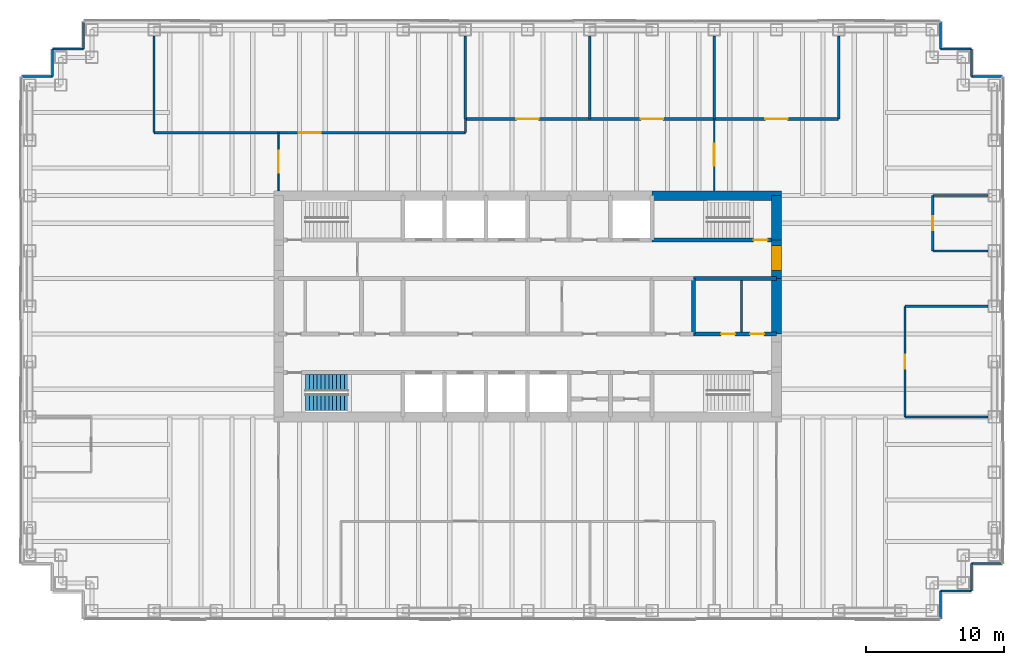
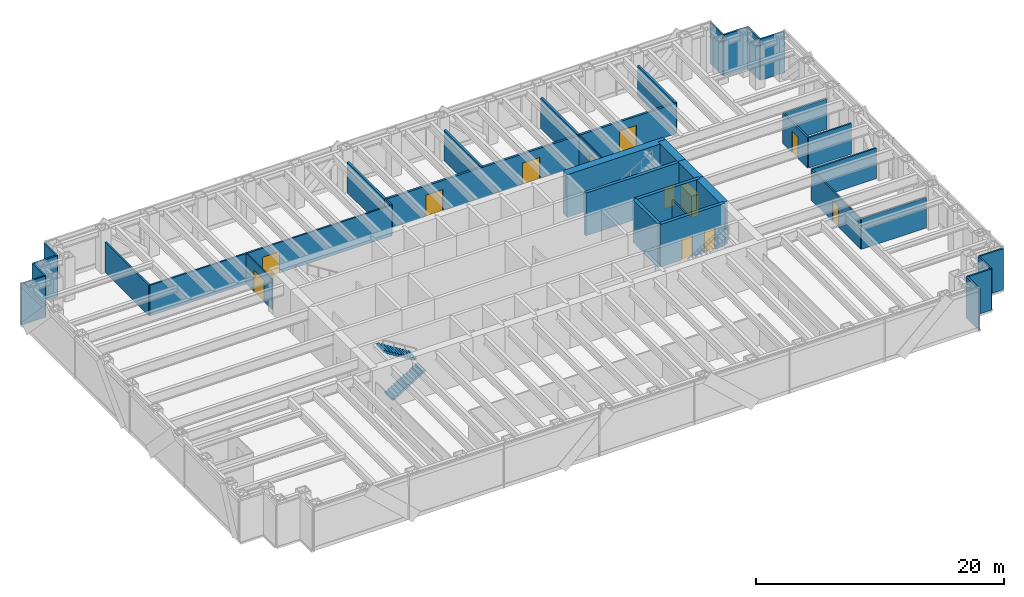
# One storey, part 13 of 15: 37 walls, 12 doors, 2 stair flights, 12 openings, 1 element without a shape of its own.
"""IFC4 building model written with IfcOpenShell, lengths in metres."""

from ifc_helpers import new_model, si_unit, direction, frame, frame_2d, origin, place, context, subcontext, project, spatial, polyline, rectangle, outline, extrude, material, layer, layer_set, type_object, element, fill, aggregate, save


model = new_model("IFC4")

# Units and contexts
model_context = context("Model", 3, precision=1e-05, world=origin(), true_north=direction((0.0, 1.0)))
body_context = subcontext(model_context, "Body", "Model", "MODEL_VIEW")
ifc_project = project(units=[si_unit("LENGTHUNIT", "METRE"), si_unit("AREAUNIT", "SQUARE_METRE"), si_unit("VOLUMEUNIT", "CUBIC_METRE"), si_unit("PLANEANGLEUNIT", "RADIAN"), si_unit("MASSUNIT", "GRAM", prefix="KILO")], contexts=[model_context])

# Site, building, storey
site_placement = place(None, origin())
site = spatial("IfcSite", under=ifc_project, at=site_placement, CompositionType="ELEMENT")
building_placement = place(site_placement, origin())
building = spatial("IfcBuilding", under=site, at=building_placement, Name="Rheinbord Bourse Tower", CompositionType="ELEMENT")
storey_placement = place(building_placement, frame((0.0, 0.0, 296.300048828125)))
storey = spatial("IfcBuildingStorey", under=building, at=storey_placement, Name="L67", CompositionType="ELEMENT", Elevation=296.300048828125)

# Wall, openings, doors
ifc_material_1 = material(Name="Acoustic gypsum board partition", Category="gypsum board")
ifc_layer_1 = layer(ifc_material_1, 0.199951171875)
ifc_layer_set_1 = layer_set([ifc_layer_1], Name="ACOUSTIC PARTITION 200")
wall_type_1 = type_object("IfcWallType", Name="ACOUSTIC PARTITION 200", PredefinedType="PARTITIONING", material=ifc_layer_set_1)
wall_1_placement = place(storey_placement, frame((31.5, 37.550048828125, 0.0), z_axis=(0.0, 0.0, 1.0), x_axis=(1.0, 0.0, 0.0)))
wall_1 = element("IfcWall", 1, at=wall_1_placement, inside=storey, type_object=wall_type_1, Name="Partition L67-10", PredefinedType="PARTITIONING", context=body_context, shape_type="SweptSolid", body=[
    extrude(rectangle(XDim=27.0, YDim=0.199951171875, at=frame_2d((13.5, 0.0))), origin(), (0.0, 0.0, 1.0), 3.0),
])
opening_1_placement = place(wall_1_placement, frame((3.699951171875, 0.0, 0.0)))
opening_1 = element("IfcOpeningElement", 2, at=opening_1_placement, cuts=wall_1, Name="Opening 67D07", PredefinedType="OPENING", context=body_context, shape_type="SweptSolid", body=[
    extrude(rectangle(XDim=1.60009765625, YDim=2.10009765625, at=frame_2d((0.800048828125, 1.050048828125))), frame((0.0, 0.10986328125, 0.0), z_axis=(0.0, -1.0, 0.0), x_axis=(1.0, 0.0, 0.0)), (0.0, 0.0, 1.0), 0.219970703125),
])
opening_2_placement = place(wall_1_placement, frame((12.699951171875, 0.0, 0.0)))
opening_2 = element("IfcOpeningElement", 3, at=opening_2_placement, cuts=wall_1, Name="Opening 67D08", PredefinedType="OPENING", context=body_context, shape_type="SweptSolid", body=[
    extrude(rectangle(XDim=1.60009765625, YDim=2.10009765625, at=frame_2d((0.800048828125, 1.050048828125))), frame((0.0, 0.10986328125, 0.0), z_axis=(0.0, -1.0, 0.0), x_axis=(1.0, 0.0, 0.0)), (0.0, 0.0, 1.0), 0.219970703125),
])
opening_3_placement = place(wall_1_placement, frame((21.699951171875, 0.0, 0.0)))
opening_3 = element("IfcOpeningElement", 4, at=opening_3_placement, cuts=wall_1, Name="Opening 67D09", PredefinedType="OPENING", context=body_context, shape_type="SweptSolid", body=[
    extrude(rectangle(XDim=1.60009765625, YDim=2.10009765625, at=frame_2d((0.800048828125, 1.050048828125))), frame((0.0, 0.10986328125, 0.0), z_axis=(0.0, -1.0, 0.0), x_axis=(1.0, 0.0, 0.0)), (0.0, 0.0, 1.0), 0.219970703125),
])
ifc_material_2 = material(Name="Timber door", Category="wood")
door_type_1 = type_object("IfcDoorType", Name="DOUBLE ROOM DOOR 1600", OperationType="DOUBLE_DOOR_DOUBLE_SWING", PredefinedType="DOOR", material=ifc_material_2)
door_1_placement = place(opening_1_placement, origin())
door_1 = element("IfcDoor", 5, at=door_1_placement, inside=storey, type_object=door_type_1, Name="Private dining room door L67", OperationType="SINGLE_SWING_LEFT", OverallHeight=2.10009765625, OverallWidth=1.60009765625, PredefinedType="DOOR", context=body_context, shape_type="SweptSolid", body=[
    extrude(rectangle(XDim=1.60009765625, YDim=2.10009765625, at=frame_2d((0.800048828125, 1.050048828125))), frame((0.0, 0.02490234375, 0.0), z_axis=(0.0, -1.0, 0.0), x_axis=(1.0, 0.0, 0.0)), (0.0, 0.0, 1.0), 0.050048828125),
])
fill(opening_1, door_1)
door_2_placement = place(opening_2_placement, origin())
door_2 = element("IfcDoor", 6, at=door_2_placement, inside=storey, type_object=door_type_1, Name="Private dining room door L67", OperationType="SINGLE_SWING_LEFT", OverallHeight=2.10009765625, OverallWidth=1.60009765625, PredefinedType="DOOR", context=body_context, shape_type="SweptSolid", body=[
    extrude(rectangle(XDim=1.60009765625, YDim=2.10009765625, at=frame_2d((0.800048828125, 1.050048828125))), frame((0.0, 0.02490234375, 0.0), z_axis=(0.0, -1.0, 0.0), x_axis=(1.0, 0.0, 0.0)), (0.0, 0.0, 1.0), 0.050048828125),
])
fill(opening_2, door_2)
door_3_placement = place(opening_3_placement, origin())
door_3 = element("IfcDoor", 7, at=door_3_placement, inside=storey, type_object=door_type_1, Name="Private dining room door L67", OperationType="SINGLE_SWING_LEFT", OverallHeight=2.10009765625, OverallWidth=1.60009765625, PredefinedType="DOOR", context=body_context, shape_type="SweptSolid", body=[
    extrude(rectangle(XDim=1.60009765625, YDim=2.10009765625, at=frame_2d((0.800048828125, 1.050048828125))), frame((0.0, 0.02490234375, 0.0), z_axis=(0.0, -1.0, 0.0), x_axis=(1.0, 0.0, 0.0)), (0.0, 0.0, 1.0), 0.050048828125),
])
fill(opening_3, door_3)

# Walls
for number, where, z_axis, x_axis, name in (
    (8, (31.5, 37.550048828125, 0.0), (0.0, 0.0, 1.0), (0.0, 1.0, 0.0), "Partition L67-17"),
    (9, (40.5, 37.550048828125, 0.0), (0.0, 0.0, 1.0), (0.0, 1.0, 0.0), "Partition L67-19"),
    (10, (49.5, 37.550048828125, 0.0), (0.0, 0.0, 1.0), (0.0, 1.0, 0.0), "Partition L67-22"),
    (11, (58.5, 37.550048828125, 0.0), (0.0, 0.0, 1.0), (0.0, 1.0, 0.0), "Partition L67-24"),
):
    element("IfcWall", number, at=place(storey_placement, frame(where, z_axis=z_axis, x_axis=x_axis)), inside=storey, type_object=wall_type_1, Name=name, PredefinedType="PARTITIONING", context=body_context, shape_type="SweptSolid", body=[
        extrude(rectangle(XDim=6.0, YDim=0.199951171875, at=frame_2d((3.0, 0.0))), origin(), (0.0, 0.0, 1.0), 3.0),
    ])

# Wall, opening, door
ifc_material_3 = material(Name="Concrete C50/60", Category="concrete")
ifc_layer_2 = layer(ifc_material_3, 0.300048828125)
ifc_layer_set_2 = layer_set([ifc_layer_2], Name="CORE INNER WALL 300")
wall_type_2 = type_object("IfcWallType", Name="CORE INNER WALL 300", PredefinedType="SOLIDWALL", material=ifc_layer_set_2)
wall_2_placement = place(storey_placement, frame((45.0, 28.800048828125, 0.0), z_axis=(0.0, 0.0, 1.0), x_axis=(1.0, 0.0, 0.0)))
wall_2 = element("IfcWall", 12, at=wall_2_placement, inside=storey, type_object=wall_type_2, Name="Core wall B8 L67", PredefinedType="SOLIDWALL", context=body_context, shape_type="SweptSolid", body=[
    extrude(rectangle(XDim=9.0, YDim=0.300048828125, at=frame_2d((4.5, 0.0))), origin(), (0.0, 0.0, 1.0), 4.199951171875),
])
opening_4_placement = place(wall_2_placement, frame((7.35009765625, 0.0, 0.0)))
opening_4 = element("IfcOpeningElement", 13, at=opening_4_placement, cuts=wall_2, Name="Opening 6740", PredefinedType="OPENING", context=body_context, shape_type="SweptSolid", body=[
    extrude(rectangle(XDim=1.0, YDim=2.10009765625, at=frame_2d((0.5, 1.050048828125))), frame((0.0, 0.159912109375, 0.0), z_axis=(0.0, -1.0, 0.0), x_axis=(1.0, 0.0, 0.0)), (0.0, 0.0, 1.0), 0.320068359375),
])
ifc_material_4 = material(Name="Steel door", Category="steel")
door_type_2 = type_object("IfcDoorType", Name="DOOR 1000 EI30", OperationType="SINGLE_SWING_LEFT", PredefinedType="DOOR", material=ifc_material_4)
door_4_placement = place(opening_4_placement, origin())
door_4 = element("IfcDoor", 14, at=door_4_placement, inside=storey, type_object=door_type_2, Name="Stair door ST4 L67", OperationType="SINGLE_SWING_RIGHT", OverallHeight=2.10009765625, OverallWidth=1.0, PredefinedType="DOOR", context=body_context, shape_type="SweptSolid", body=[
    extrude(rectangle(XDim=1.0, YDim=2.10009765625, at=frame_2d((0.5, 1.050048828125))), frame((0.0, 0.02490234375, 0.0), z_axis=(0.0, -1.0, 0.0), x_axis=(1.0, 0.0, 0.0)), (0.0, 0.0, 1.0), 0.050048828125),
])
fill(opening_4, door_4)

# Wall, openings, doors
wall_3_placement = place(storey_placement, frame((48.0, 22.0, 0.0), z_axis=(0.0, 0.0, 1.0), x_axis=(1.0, 0.0, 0.0)))
wall_3 = element("IfcWall", 15, at=wall_3_placement, inside=storey, type_object=wall_type_2, Name="Core wall C6 L67", PredefinedType="SOLIDWALL", context=body_context, shape_type="SweptSolid", body=[
    extrude(rectangle(XDim=6.0, YDim=0.300048828125, at=frame_2d((3.0, 0.0))), origin(), (0.0, 0.0, 1.0), 4.199951171875),
])
opening_5_placement = place(wall_3_placement, frame((2.0, 0.0, 0.0)))
opening_5 = element("IfcOpeningElement", 16, at=opening_5_placement, cuts=wall_3, Name="Opening 67R6", PredefinedType="OPENING", context=body_context, shape_type="SweptSolid", body=[
    extrude(rectangle(XDim=1.0, YDim=2.10009765625, at=frame_2d((0.5, 1.050048828125))), frame((0.0, 0.159912109375, 0.0), z_axis=(0.0, -1.0, 0.0), x_axis=(1.0, 0.0, 0.0)), (0.0, 0.0, 1.0), 0.320068359375),
])
opening_6_placement = place(wall_3_placement, frame((4.10009765625, 0.0, 0.0)))
opening_6 = element("IfcOpeningElement", 17, at=opening_6_placement, cuts=wall_3, Name="Opening 67R10", PredefinedType="OPENING", context=body_context, shape_type="SweptSolid", body=[
    extrude(rectangle(XDim=1.0, YDim=2.10009765625, at=frame_2d((0.5, 1.050048828125))), frame((0.0, 0.159912109375, 0.0), z_axis=(0.0, -1.0, 0.0), x_axis=(1.0, 0.0, 0.0)), (0.0, 0.0, 1.0), 0.320068359375),
])
door_5_placement = place(opening_6_placement, origin())
door_5 = element("IfcDoor", 18, at=door_5_placement, inside=storey, type_object=door_type_2, Name="Cleaner's store door L67", OperationType="SINGLE_SWING_RIGHT", OverallHeight=2.10009765625, OverallWidth=1.0, PredefinedType="DOOR", context=body_context, shape_type="SweptSolid", body=[
    extrude(rectangle(XDim=1.0, YDim=2.10009765625, at=frame_2d((0.5, 1.050048828125))), frame((0.0, 0.02490234375, 0.0), z_axis=(0.0, -1.0, 0.0), x_axis=(1.0, 0.0, 0.0)), (0.0, 0.0, 1.0), 0.050048828125),
])
fill(opening_6, door_5)
ifc_material_5 = material(Name="Timber door", Category="wood")
door_type_3 = type_object("IfcDoorType", Name="DOOR 1000 WC", OperationType="SINGLE_SWING_LEFT", PredefinedType="DOOR", material=ifc_material_5)
door_6_placement = place(opening_5_placement, origin())
door_6 = element("IfcDoor", 19, at=door_6_placement, inside=storey, type_object=door_type_3, Name="WC women door L67", OperationType="SINGLE_SWING_LEFT", OverallHeight=2.10009765625, OverallWidth=1.0, PredefinedType="DOOR", context=body_context, shape_type="SweptSolid", body=[
    extrude(rectangle(XDim=1.0, YDim=2.10009765625, at=frame_2d((0.5, 1.050048828125))), frame((0.0, 0.02490234375, 0.0), z_axis=(0.0, -1.0, 0.0), x_axis=(1.0, 0.0, 0.0)), (0.0, 0.0, 1.0), 0.050048828125),
])
fill(opening_5, door_6)

# Walls
wall_4_placement = place(storey_placement, frame((48.0, 26.0, 0.0), z_axis=(0.0, 0.0, 1.0), x_axis=(1.0, 0.0, 0.0)))
element("IfcWall", 20, at=wall_4_placement, inside=storey, type_object=wall_type_2, Name="Core wall D6 L67", PredefinedType="SOLIDWALL", context=body_context, shape_type="SweptSolid", body=[
    extrude(rectangle(XDim=6.0, YDim=0.300048828125, at=frame_2d((3.0, 0.0))), origin(), (0.0, 0.0, 1.0), 4.199951171875),
])
wall_5_placement = place(storey_placement, frame((48.0, 22.0, 0.0), z_axis=(0.0, 0.0, 1.0), x_axis=(0.0, 1.0, 0.0)))
element("IfcWall", 21, at=wall_5_placement, inside=storey, type_object=wall_type_2, Name="Core wall MX48 L67", PredefinedType="SOLIDWALL", context=body_context, shape_type="SweptSolid", body=[
    extrude(rectangle(XDim=4.0, YDim=0.300048828125, at=frame_2d((2.0, 0.0))), origin(), (0.0, 0.0, 1.0), 4.199951171875),
])
ifc_material_6 = material(Name="Gypsum board fire partition", Category="gypsum board")
ifc_layer_3 = layer(ifc_material_6, 0.14990234375)
ifc_layer_set_3 = layer_set([ifc_layer_3], Name="CORE PARTITION 150 EI30")
wall_type_3 = type_object("IfcWallType", Name="CORE PARTITION 150 EI30", PredefinedType="PARTITIONING", material=ifc_layer_set_3)
wall_6_placement = place(storey_placement, frame((51.47509765625, 22.14990234375, 0.0), z_axis=(0.0, 0.0, 1.0), x_axis=(0.0, 1.0, 0.0)))
element("IfcWall", 22, at=wall_6_placement, inside=storey, type_object=wall_type_3, Name="Core partition L67-3", PredefinedType="PARTITIONING", context=body_context, shape_type="SweptSolid", body=[
    extrude(rectangle(XDim=3.7001953125, YDim=0.14990234375, at=frame_2d((1.85009765625, 0.0))), origin(), (0.0, 0.0, 1.0), 3.0),
])
ifc_material_7 = material(Name="Concrete C50/60", Category="concrete")
ifc_layer_4 = layer(ifc_material_7, 0.699951171875)
ifc_layer_set_4 = layer_set([ifc_layer_4], Name="CORE WALL 700")
wall_type_4 = type_object("IfcWallType", Name="CORE WALL 700", PredefinedType="SHEAR", material=ifc_layer_set_4)
wall_7_placement = place(storey_placement, frame((54.35009765625, 32.0, 0.0), z_axis=(0.0, 0.0, 1.0), x_axis=(-1.0, 0.0, 0.0)))
element("IfcWall", 23, at=wall_7_placement, inside=storey, type_object=wall_type_4, Name="Core wall N1 L67", PredefinedType="SHEAR", context=body_context, shape_type="SweptSolid", body=[
    extrude(rectangle(XDim=9.35009765625, YDim=0.699951171875, at=frame_2d((4.675048828125, 0.0))), origin(), (0.0, 0.0, 1.0), 4.199951171875),
])
wall_8_placement = place(storey_placement, frame((54.0, 22.0, 0.0), z_axis=(0.0, 0.0, 1.0), x_axis=(0.0, 1.0, 0.0)))
element("IfcWall", 24, at=wall_8_placement, inside=storey, type_object=wall_type_4, Name="Core wall E3 L67", PredefinedType="SHEAR", context=body_context, shape_type="SweptSolid", body=[
    extrude(rectangle(XDim=4.0, YDim=0.699951171875, at=frame_2d((2.0, 0.0))), origin(), (0.0, 0.0, 1.0), 4.199951171875),
])

# Wall, opening, door
wall_9_placement = place(storey_placement, frame((54.0, 26.0, 0.0), z_axis=(0.0, 0.0, 1.0), x_axis=(0.0, 1.0, 0.0)))
wall_9 = element("IfcWall", 25, at=wall_9_placement, inside=storey, type_object=wall_type_4, Name="Core wall E4 L67", PredefinedType="SHEAR", context=body_context, shape_type="SweptSolid", body=[
    extrude(rectangle(XDim=2.800048828125, YDim=0.699951171875, at=frame_2d((1.39990234375, 0.0))), origin(), (0.0, 0.0, 1.0), 4.199951171875),
])
opening_7_placement = place(wall_9_placement, frame((0.60009765625, 0.0, 0.0)))
opening_7 = element("IfcOpeningElement", 26, at=opening_7_placement, cuts=wall_9, Name="Opening 67L4", PredefinedType="OPENING", context=body_context, shape_type="SweptSolid", body=[
    extrude(rectangle(XDim=1.800048828125, YDim=2.10009765625, at=frame_2d((0.89990234375, 1.050048828125))), frame((0.0, 0.35986328125, 0.0), z_axis=(0.0, -1.0, 0.0), x_axis=(1.0, 0.0, 0.0)), (0.0, 0.0, 1.0), 0.719970703125),
])
ifc_material_8 = material(Name="Steel door", Category="steel")
door_type_4 = type_object("IfcDoorType", Name="DOOR 1800 EI30 DOUBLE", OperationType="DOUBLE_DOOR_DOUBLE_SWING", PredefinedType="DOOR", material=ifc_material_8)
door_7_placement = place(opening_7_placement, origin())
door_7 = element("IfcDoor", 27, at=door_7_placement, inside=storey, type_object=door_type_4, Name="Lobby door 4 L67", OperationType="SINGLE_SWING_LEFT", OverallHeight=2.10009765625, OverallWidth=1.800048828125, PredefinedType="DOOR", context=body_context, shape_type="SweptSolid", body=[
    extrude(rectangle(XDim=1.800048828125, YDim=2.10009765625, at=frame_2d((0.89990234375, 1.050048828125))), frame((0.0, 0.349609375, 0.0), z_axis=(0.0, -1.0, 0.0), x_axis=(1.0, 0.0, 0.0)), (0.0, 0.0, 1.0), 0.699462890625),
])
fill(opening_7, door_7)

# Walls
wall_10_placement = place(storey_placement, frame((54.0, 28.800048828125, 0.0), z_axis=(0.0, 0.0, 1.0), x_axis=(0.0, 1.0, 0.0)))
element("IfcWall", 28, at=wall_10_placement, inside=storey, type_object=wall_type_4, Name="Core wall E5 L67", PredefinedType="SHEAR", context=body_context, shape_type="SweptSolid", body=[
    extrude(rectangle(XDim=3.199951171875, YDim=0.699951171875, at=frame_2d((1.60009765625, 0.0))), origin(), (0.0, 0.0, 1.0), 4.199951171875),
])
ifc_material_9 = material(Name="Black metal rainscreen panel", Category="aluminium")
ifc_layer_5 = layer(ifc_material_9, 0.14990234375)
ifc_layer_set_5 = layer_set([ifc_layer_5], Name="CORNER PIER CLADDING 150")
wall_type_5 = type_object("IfcWallType", Name="CORNER PIER CLADDING 150", PredefinedType="ELEMENTEDWALL", material=ifc_layer_set_5)
wall_11_placement = place(storey_placement, frame((65.85009765625, 1.39990234375, 0.0), z_axis=(0.0, 0.0, 1.0), x_axis=(0.0, 1.0, 0.0)))
element("IfcWall", 29, at=wall_11_placement, inside=storey, type_object=wall_type_5, Name="Corner pier cladding L67 2", PredefinedType="ELEMENTEDWALL", context=body_context, shape_type="SweptSolid", body=[
    extrude(rectangle(XDim=2.0, YDim=0.14990234375, at=frame_2d((1.0, 0.0))), origin(), (0.0, 0.0, 1.0), 4.0400390625),
])
wall_12_placement = place(storey_placement, frame((65.85009765625, 3.39990234375, 0.0), z_axis=(0.0, 0.0, 1.0), x_axis=(1.0, 0.0, 0.0)))
element("IfcWall", 30, at=wall_12_placement, inside=storey, type_object=wall_type_5, Name="Corner pier cladding L67 3", PredefinedType="ELEMENTEDWALL", context=body_context, shape_type="SweptSolid", body=[
    extrude(rectangle(XDim=2.25, YDim=0.14990234375, at=frame_2d((1.125, 0.0))), origin(), (0.0, 0.0, 1.0), 4.0400390625),
])
wall_13_placement = place(storey_placement, frame((68.10009765625, 3.39990234375, 0.0), z_axis=(0.0, 0.0, 1.0), x_axis=(0.0, 1.0, 0.0)))
element("IfcWall", 31, at=wall_13_placement, inside=storey, type_object=wall_type_5, Name="Corner pier cladding L67 4", PredefinedType="ELEMENTEDWALL", context=body_context, shape_type="SweptSolid", body=[
    extrude(rectangle(XDim=2.0, YDim=0.14990234375, at=frame_2d((1.0, 0.0))), origin(), (0.0, 0.0, 1.0), 4.0400390625),
])
for number, where, z_axis, x_axis, name in (
    (32, (68.10009765625, 5.39990234375, 0.0), (0.0, 0.0, 1.0), (1.0, 0.0, 0.0), "Corner pier cladding L67 5"),
    (33, (70.35009765625, 40.60009765625, 0.0), (0.0, 0.0, 1.0), (-1.0, 0.0, 0.0), "Corner pier cladding L67 7"),
):
    element("IfcWall", number, at=place(storey_placement, frame(where, z_axis=z_axis, x_axis=x_axis)), inside=storey, type_object=wall_type_5, Name=name, PredefinedType="ELEMENTEDWALL", context=body_context, shape_type="SweptSolid", body=[
        extrude(rectangle(XDim=2.25, YDim=0.14990234375, at=frame_2d((1.125, 0.0))), origin(), (0.0, 0.0, 1.0), 4.0400390625),
    ])
wall_14_placement = place(storey_placement, frame((68.10009765625, 40.60009765625, 0.0), z_axis=(0.0, 0.0, 1.0), x_axis=(0.0, 1.0, 0.0)))
element("IfcWall", 34, at=wall_14_placement, inside=storey, type_object=wall_type_5, Name="Corner pier cladding L67 8", PredefinedType="ELEMENTEDWALL", context=body_context, shape_type="SweptSolid", body=[
    extrude(rectangle(XDim=2.0, YDim=0.14990234375, at=frame_2d((1.0, 0.0))), origin(), (0.0, 0.0, 1.0), 4.0400390625),
])
wall_15_placement = place(storey_placement, frame((68.10009765625, 42.60009765625, 0.0), z_axis=(0.0, 0.0, 1.0), x_axis=(-1.0, 0.0, 0.0)))
element("IfcWall", 35, at=wall_15_placement, inside=storey, type_object=wall_type_5, Name="Corner pier cladding L67 9", PredefinedType="ELEMENTEDWALL", context=body_context, shape_type="SweptSolid", body=[
    extrude(rectangle(XDim=2.25, YDim=0.14990234375, at=frame_2d((1.125, 0.0))), origin(), (0.0, 0.0, 1.0), 4.0400390625),
])
for number, where, z_axis, x_axis, name in (
    (36, (65.85009765625, 42.60009765625, 0.0), (0.0, 0.0, 1.0), (0.0, 1.0, 0.0), "Corner pier cladding L67 10"),
    (37, (3.89990234375, 44.60009765625, 0.0), (0.0, 0.0, 1.0), (0.0, -1.0, 0.0), "Corner pier cladding L67 12"),
):
    element("IfcWall", number, at=place(storey_placement, frame(where, z_axis=z_axis, x_axis=x_axis)), inside=storey, type_object=wall_type_5, Name=name, PredefinedType="ELEMENTEDWALL", context=body_context, shape_type="SweptSolid", body=[
        extrude(rectangle(XDim=2.0, YDim=0.14990234375, at=frame_2d((1.0, 0.0))), origin(), (0.0, 0.0, 1.0), 4.0400390625),
    ])
wall_16_placement = place(storey_placement, frame((3.89990234375, 42.60009765625, 0.0), z_axis=(0.0, 0.0, 1.0), x_axis=(-1.0, 0.0, 0.0)))
element("IfcWall", 38, at=wall_16_placement, inside=storey, type_object=wall_type_5, Name="Corner pier cladding L67 13", PredefinedType="ELEMENTEDWALL", context=body_context, shape_type="SweptSolid", body=[
    extrude(rectangle(XDim=2.25, YDim=0.14990234375, at=frame_2d((1.125, 0.0))), origin(), (0.0, 0.0, 1.0), 4.0400390625),
])
wall_17_placement = place(storey_placement, frame((1.64990234375, 42.60009765625, 0.0), z_axis=(0.0, 0.0, 1.0), x_axis=(0.0, -1.0, 0.0)))
element("IfcWall", 39, at=wall_17_placement, inside=storey, type_object=wall_type_5, Name="Corner pier cladding L67 14", PredefinedType="ELEMENTEDWALL", context=body_context, shape_type="SweptSolid", body=[
    extrude(rectangle(XDim=2.0, YDim=0.14990234375, at=frame_2d((1.0, 0.0))), origin(), (0.0, 0.0, 1.0), 4.0400390625),
])
wall_18_placement = place(storey_placement, frame((1.64990234375, 40.60009765625, 0.0), z_axis=(0.0, 0.0, 1.0), x_axis=(-1.0, 0.0, 0.0)))
element("IfcWall", 40, at=wall_18_placement, inside=storey, type_object=wall_type_5, Name="Corner pier cladding L67 15", PredefinedType="ELEMENTEDWALL", context=body_context, shape_type="SweptSolid", body=[
    extrude(rectangle(XDim=2.25, YDim=0.14990234375, at=frame_2d((1.125, 0.0))), origin(), (0.0, 0.0, 1.0), 4.0400390625),
])

# Wall, opening, door
ifc_material_10 = material(Name="Toughened laminated glass partition", Category="glass")
ifc_layer_6 = layer(ifc_material_10, 0.10009765625)
ifc_layer_set_6 = layer_set([ifc_layer_6], Name="GLAZED PARTITION 100")
wall_type_6 = type_object("IfcWallType", Name="GLAZED PARTITION 100", PredefinedType="PARTITIONING", material=ifc_layer_set_6)
wall_19_placement = place(storey_placement, frame((18.0, 32.35009765625, 0.0), z_axis=(0.0, 0.0, 1.0), x_axis=(0.0, 1.0, 0.0)))
wall_19 = element("IfcWall", 41, at=wall_19_placement, inside=storey, type_object=wall_type_6, Name="Partition L67-14", PredefinedType="PARTITIONING", context=body_context, shape_type="SweptSolid", body=[
    extrude(rectangle(XDim=4.199951171875, YDim=0.10009765625, at=frame_2d((2.10009765625, 0.0))), origin(), (0.0, 0.0, 1.0), 3.0),
])
opening_8_placement = place(wall_19_placement, frame((1.300048828125, 0.0, 0.0)))
opening_8 = element("IfcOpeningElement", 42, at=opening_8_placement, cuts=wall_19, Name="Opening 67D12", PredefinedType="OPENING", context=body_context, shape_type="SweptSolid", body=[
    extrude(rectangle(XDim=1.60009765625, YDim=2.10009765625, at=frame_2d((0.800048828125, 1.050048828125))), frame((0.0, 0.06005859375, 0.0), z_axis=(0.0, -1.0, 0.0), x_axis=(1.0, 0.0, 0.0)), (0.0, 0.0, 1.0), 0.1201171875),
])
door_8_placement = place(opening_8_placement, origin())
door_8 = element("IfcDoor", 43, at=door_8_placement, inside=storey, type_object=door_type_1, Name="Open area door L67", OperationType="SINGLE_SWING_LEFT", OverallHeight=2.10009765625, OverallWidth=1.60009765625, PredefinedType="DOOR", context=body_context, shape_type="SweptSolid", body=[
    extrude(rectangle(XDim=1.60009765625, YDim=2.10009765625, at=frame_2d((0.800048828125, 1.050048828125))), frame((0.0, 0.02490234375, 0.0), z_axis=(0.0, -1.0, 0.0), x_axis=(1.0, 0.0, 0.0)), (0.0, 0.0, 1.0), 0.050048828125),
])
fill(opening_8, door_8)

wall_20_placement = place(storey_placement, frame((49.5, 32.35009765625, 0.0), z_axis=(0.0, 0.0, 1.0), x_axis=(0.0, 1.0, 0.0)))
wall_20 = element("IfcWall", 44, at=wall_20_placement, inside=storey, type_object=wall_type_6, Name="Partition L67-21", PredefinedType="PARTITIONING", context=body_context, shape_type="SweptSolid", body=[
    extrude(rectangle(XDim=5.199951171875, YDim=0.10009765625, at=frame_2d((2.60009765625, 0.0))), origin(), (0.0, 0.0, 1.0), 3.0),
])
opening_9_placement = place(wall_20_placement, frame((1.800048828125, 0.0, 0.0)))
opening_9 = element("IfcOpeningElement", 45, at=opening_9_placement, cuts=wall_20, Name="Opening 67D15", PredefinedType="OPENING", context=body_context, shape_type="SweptSolid", body=[
    extrude(rectangle(XDim=1.60009765625, YDim=2.10009765625, at=frame_2d((0.800048828125, 1.050048828125))), frame((0.0, 0.06005859375, 0.0), z_axis=(0.0, -1.0, 0.0), x_axis=(1.0, 0.0, 0.0)), (0.0, 0.0, 1.0), 0.1201171875),
])
door_9_placement = place(opening_9_placement, origin())
door_9 = element("IfcDoor", 46, at=door_9_placement, inside=storey, type_object=door_type_1, Name="Open area door L67", OperationType="SINGLE_SWING_LEFT", OverallHeight=2.10009765625, OverallWidth=1.60009765625, PredefinedType="DOOR", context=body_context, shape_type="SweptSolid", body=[
    extrude(rectangle(XDim=1.60009765625, YDim=2.10009765625, at=frame_2d((0.800048828125, 1.050048828125))), frame((0.0, 0.02490234375, 0.0), z_axis=(0.0, -1.0, 0.0), x_axis=(1.0, 0.0, 0.0)), (0.0, 0.0, 1.0), 0.050048828125),
])
fill(opening_9, door_9)

# Walls
ifc_material_11 = material(Name="Gypsum board partition", Category="gypsum board")
ifc_layer_7 = layer(ifc_material_11, 0.14990234375)
ifc_layer_set_7 = layer_set([ifc_layer_7], Name="PARTITION 150")
wall_type_7 = type_object("IfcWallType", Name="PARTITION 150", PredefinedType="PARTITIONING", material=ifc_layer_set_7)
for number, where, z_axis, x_axis, name in (
    (47, (63.300048828125, 16.0, 0.0), (0.0, 0.0, 1.0), (1.0, 0.0, 0.0), "Partition L67-05"),
    (48, (63.300048828125, 24.0, 0.0), (0.0, 0.0, 1.0), (1.0, 0.0, 0.0), "Partition L67-06"),
):
    element("IfcWall", number, at=place(storey_placement, frame(where, z_axis=z_axis, x_axis=x_axis)), inside=storey, type_object=wall_type_7, Name=name, PredefinedType="PARTITIONING", context=body_context, shape_type="SweptSolid", body=[
        extrude(rectangle(XDim=6.0, YDim=0.14990234375, at=frame_2d((3.0, 0.0))), origin(), (0.0, 0.0, 1.0), 3.0),
    ])
for number, where, z_axis, x_axis, name in (
    (49, (65.300048828125, 28.0, 0.0), (0.0, 0.0, 1.0), (1.0, 0.0, 0.0), "Partition L67-07"),
    (50, (65.300048828125, 32.0, 0.0), (0.0, 0.0, 1.0), (1.0, 0.0, 0.0), "Partition L67-08"),
):
    element("IfcWall", number, at=place(storey_placement, frame(where, z_axis=z_axis, x_axis=x_axis)), inside=storey, type_object=wall_type_7, Name=name, PredefinedType="PARTITIONING", context=body_context, shape_type="SweptSolid", body=[
        extrude(rectangle(XDim=4.0, YDim=0.14990234375, at=frame_2d((2.0, 0.0))), origin(), (0.0, 0.0, 1.0), 3.0),
    ])

# Wall, opening, door
wall_21_placement = place(storey_placement, frame((9.0, 36.550048828125, 0.0), z_axis=(0.0, 0.0, 1.0), x_axis=(1.0, 0.0, 0.0)))
wall_21 = element("IfcWall", 51, at=wall_21_placement, inside=storey, type_object=wall_type_7, Name="Partition L67-09", PredefinedType="PARTITIONING", context=body_context, shape_type="SweptSolid", body=[
    extrude(rectangle(XDim=22.5, YDim=0.14990234375, at=frame_2d((11.25, 0.0))), origin(), (0.0, 0.0, 1.0), 3.0),
])
opening_10_placement = place(wall_21_placement, frame((10.449951171875, 0.0, 0.0)))
opening_10 = element("IfcOpeningElement", 52, at=opening_10_placement, cuts=wall_21, Name="Opening 67D06", PredefinedType="OPENING", context=body_context, shape_type="SweptSolid", body=[
    extrude(rectangle(XDim=1.60009765625, YDim=2.10009765625, at=frame_2d((0.800048828125, 1.050048828125))), frame((0.0, 0.0849609375, 0.0), z_axis=(0.0, -1.0, 0.0), x_axis=(1.0, 0.0, 0.0)), (0.0, 0.0, 1.0), 0.169921875),
])
door_10_placement = place(opening_10_placement, origin())
door_10 = element("IfcDoor", 53, at=door_10_placement, inside=storey, type_object=door_type_1, Name="Members reading room door L67", OperationType="SINGLE_SWING_LEFT", OverallHeight=2.10009765625, OverallWidth=1.60009765625, PredefinedType="DOOR", context=body_context, shape_type="SweptSolid", body=[
    extrude(rectangle(XDim=1.60009765625, YDim=2.10009765625, at=frame_2d((0.800048828125, 1.050048828125))), frame((0.0, 0.02490234375, 0.0), z_axis=(0.0, -1.0, 0.0), x_axis=(1.0, 0.0, 0.0)), (0.0, 0.0, 1.0), 0.050048828125),
])
fill(opening_10, door_10)

# Walls
wall_22_placement = place(storey_placement, frame((9.0, 36.550048828125, 0.0), z_axis=(0.0, 0.0, 1.0), x_axis=(0.0, 1.0, 0.0)))
element("IfcWall", 54, at=wall_22_placement, inside=storey, type_object=wall_type_7, Name="Partition L67-12", PredefinedType="PARTITIONING", context=body_context, shape_type="SweptSolid", body=[
    extrude(rectangle(XDim=7.0, YDim=0.14990234375, at=frame_2d((3.5, 0.0))), origin(), (0.0, 0.0, 1.0), 3.0),
])
wall_23_placement = place(storey_placement, frame((31.5, 36.550048828125, 0.0), z_axis=(0.0, 0.0, 1.0), x_axis=(0.0, 1.0, 0.0)))
element("IfcWall", 55, at=wall_23_placement, inside=storey, type_object=wall_type_7, Name="Partition L67-16", PredefinedType="PARTITIONING", context=body_context, shape_type="SweptSolid", body=[
    extrude(rectangle(XDim=1.0, YDim=0.14990234375, at=frame_2d((0.5, 0.0))), origin(), (0.0, 0.0, 1.0), 3.0),
])

# Wall, opening, door
wall_24_placement = place(storey_placement, frame((63.300048828125, 16.0, 0.0), z_axis=(0.0, 0.0, 1.0), x_axis=(0.0, 1.0, 0.0)))
wall_24 = element("IfcWall", 56, at=wall_24_placement, inside=storey, type_object=wall_type_7, Name="Partition L67-25", PredefinedType="PARTITIONING", context=body_context, shape_type="SweptSolid", body=[
    extrude(rectangle(XDim=8.0, YDim=0.14990234375, at=frame_2d((4.0, 0.0))), origin(), (0.0, 0.0, 1.0), 3.0),
])
opening_11_placement = place(wall_24_placement, frame((3.5, 0.0, 0.0)))
opening_11 = element("IfcOpeningElement", 57, at=opening_11_placement, cuts=wall_24, Name="Opening 67D04", PredefinedType="OPENING", context=body_context, shape_type="SweptSolid", body=[
    extrude(rectangle(XDim=1.0, YDim=2.10009765625, at=frame_2d((0.5, 1.050048828125))), frame((0.0, 0.0849609375, 0.0), z_axis=(0.0, -1.0, 0.0), x_axis=(1.0, 0.0, 0.0)), (0.0, 0.0, 1.0), 0.169921875),
])
ifc_material_12 = material(Name="Timber door", Category="wood")
door_type_5 = type_object("IfcDoorType", Name="ROOM DOOR 1000", OperationType="SINGLE_SWING_LEFT", PredefinedType="DOOR", material=ifc_material_12)
door_11_placement = place(opening_11_placement, origin())
door_11 = element("IfcDoor", 58, at=door_11_placement, inside=storey, type_object=door_type_5, Name="Servery door L67", OperationType="SINGLE_SWING_LEFT", OverallHeight=2.10009765625, OverallWidth=1.0, PredefinedType="DOOR", context=body_context, shape_type="SweptSolid", body=[
    extrude(rectangle(XDim=1.0, YDim=2.10009765625, at=frame_2d((0.5, 1.050048828125))), frame((0.0, 0.02490234375, 0.0), z_axis=(0.0, -1.0, 0.0), x_axis=(1.0, 0.0, 0.0)), (0.0, 0.0, 1.0), 0.050048828125),
])
fill(opening_11, door_11)

wall_25_placement = place(storey_placement, frame((65.300048828125, 28.0, 0.0), z_axis=(0.0, 0.0, 1.0), x_axis=(0.0, 1.0, 0.0)))
wall_25 = element("IfcWall", 59, at=wall_25_placement, inside=storey, type_object=wall_type_7, Name="Partition L67-26", PredefinedType="PARTITIONING", context=body_context, shape_type="SweptSolid", body=[
    extrude(rectangle(XDim=4.0, YDim=0.14990234375, at=frame_2d((2.0, 0.0))), origin(), (0.0, 0.0, 1.0), 3.0),
])
opening_12_placement = place(wall_25_placement, frame((1.5, 0.0, 0.0)))
opening_12 = element("IfcOpeningElement", 60, at=opening_12_placement, cuts=wall_25, Name="Opening 67D05", PredefinedType="OPENING", context=body_context, shape_type="SweptSolid", body=[
    extrude(rectangle(XDim=1.0, YDim=2.10009765625, at=frame_2d((0.5, 1.050048828125))), frame((0.0, 0.0849609375, 0.0), z_axis=(0.0, -1.0, 0.0), x_axis=(1.0, 0.0, 0.0)), (0.0, 0.0, 1.0), 0.169921875),
])
door_12_placement = place(opening_12_placement, origin())
door_12 = element("IfcDoor", 61, at=door_12_placement, inside=storey, type_object=door_type_5, Name="Cloakroom door L67", OperationType="SINGLE_SWING_LEFT", OverallHeight=2.10009765625, OverallWidth=1.0, PredefinedType="DOOR", context=body_context, shape_type="SweptSolid", body=[
    extrude(rectangle(XDim=1.0, YDim=2.10009765625, at=frame_2d((0.5, 1.050048828125))), frame((0.0, 0.02490234375, 0.0), z_axis=(0.0, -1.0, 0.0), x_axis=(1.0, 0.0, 0.0)), (0.0, 0.0, 1.0), 0.050048828125),
])
fill(opening_12, door_12)

# Stair, stair flights
ifc_material_13 = material(Name="Concrete C30/37", Category="concrete")
stair_type = type_object("IfcStairType", Name="CORE STAIR HALF TURN 4200", PredefinedType="HALF_TURN_STAIR", material=ifc_material_13)
stair_placement = place(storey_placement, origin())
stair = element("IfcStair", 62, at=stair_placement, inside=storey, type_object=stair_type, Name="Stair ST1 L67, type CS6", PredefinedType="HALF_TURN_STAIR")
ifc_material_14 = material(Name="Concrete C30/37", Category="concrete")
stair_flight_type = type_object("IfcStairFlightType", Name="CORE STAIR FLIGHT 1200, 12 RISERS", PredefinedType="STRAIGHT", material=ifc_material_14)
stair_flight_1_placement = place(storey_placement, frame((19.949951171875, 17.050048828125, 0.0), z_axis=(0.0, 0.0, 1.0), x_axis=(1.0, 0.0, 0.0)))
stair_flight_1 = element("IfcStairFlight", 63, at=stair_flight_1_placement, type_object=stair_flight_type, Name="STAIR L67 ST1 F1", NumberOfRisers=12, NumberOfTreads=11, PredefinedType="STRAIGHT", RiserHeight=0.175, TreadLength=0.28, context=body_context, shape_type="SweptSolid", body=[
    extrude(outline(polyline([(0.0, 0.0), (0.0, 0.175048828125), (0.280029296875, 0.175048828125), (0.280029296875, 0.35009765625), (0.56005859375, 0.35009765625), (0.56005859375, 0.52490234375), (0.840087890625, 0.52490234375), (0.840087890625, 0.699951171875), (1.1201171875, 0.699951171875), (1.1201171875, 0.875), (1.39990234375, 0.875), (1.39990234375, 1.050048828125), (1.679931640625, 1.050048828125), (1.679931640625, 1.22509765625), (1.9599609375, 1.22509765625), (1.9599609375, 1.39990234375), (2.239990234375, 1.39990234375), (2.239990234375, 1.574951171875), (2.52001953125, 1.574951171875), (2.52001953125, 1.75), (2.800048828125, 1.75), (2.800048828125, 1.925048828125), (3.080078125, 1.925048828125), (3.080078125, 2.10009765625), (3.080078125, 1.748291015625), (0.28271484375, 0.0), (0.0, 0.0)])), frame((0.0, 0.60009765625, 0.0), z_axis=(0.0, -1.0, 0.0), x_axis=(1.0, 0.0, 0.0)), (0.0, 0.0, 1.0), 1.199951171875),
])
stair_flight_2_placement = place(storey_placement, frame((23.030029296875, 18.449951171875, 2.099853515625), z_axis=(0.0, 0.0, 1.0), x_axis=(-1.0, 0.0, 0.0)))
stair_flight_2 = element("IfcStairFlight", 64, at=stair_flight_2_placement, type_object=stair_flight_type, Name="STAIR L67 ST1 F2", NumberOfRisers=12, NumberOfTreads=11, PredefinedType="STRAIGHT", RiserHeight=0.175, TreadLength=0.28, context=body_context, shape_type="SweptSolid", body=[
    extrude(outline(polyline([(0.0, 0.0), (0.0, 0.175048828125), (0.280029296875, 0.175048828125), (0.280029296875, 0.35009765625), (0.56005859375, 0.35009765625), (0.56005859375, 0.52490234375), (0.840087890625, 0.52490234375), (0.840087890625, 0.699951171875), (1.1201171875, 0.699951171875), (1.1201171875, 0.875), (1.39990234375, 0.875), (1.39990234375, 1.050048828125), (1.679931640625, 1.050048828125), (1.679931640625, 1.22509765625), (1.9599609375, 1.22509765625), (1.9599609375, 1.39990234375), (2.239990234375, 1.39990234375), (2.239990234375, 1.574951171875), (2.52001953125, 1.574951171875), (2.52001953125, 1.75), (2.800048828125, 1.75), (2.800048828125, 1.925048828125), (3.080078125, 1.925048828125), (3.080078125, 2.10009765625), (3.080078125, 1.748291015625), (0.28271484375, 0.0), (0.0, 0.0)])), frame((0.0, 0.60009765625, 0.0), z_axis=(0.0, -1.0, 0.0), x_axis=(1.0, 0.0, 0.0)), (0.0, 0.0, 1.0), 1.199951171875),
])
aggregate(stair, [stair_flight_1, stair_flight_2])

save(model, "model.ifc")
